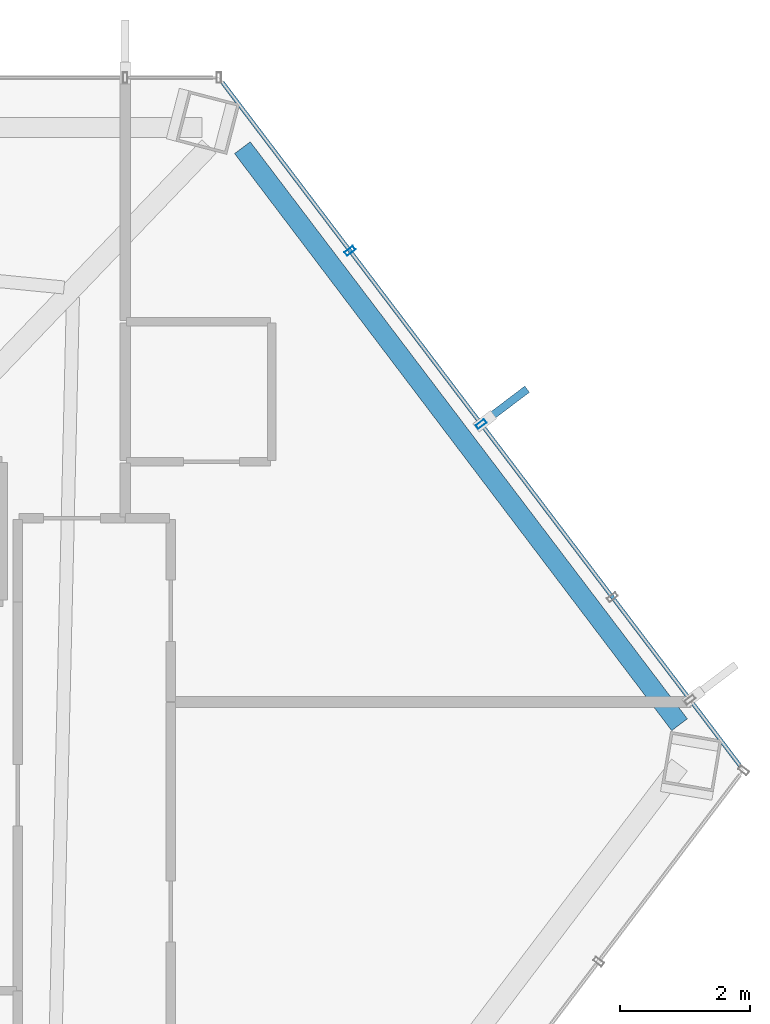
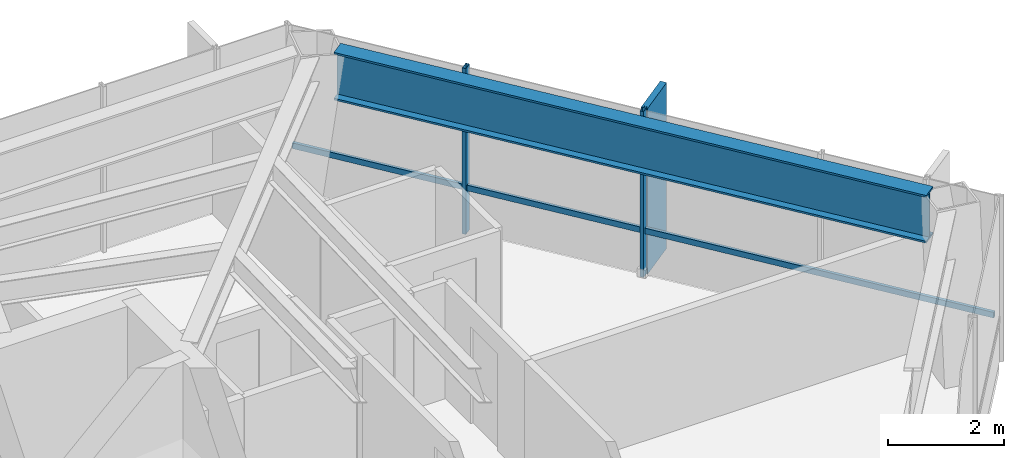
# One storey, part 25 of 30: 4 members, 1 beam, 1 element without a shape of its own.
"""IFC4 building model written with IfcOpenShell, lengths in metres."""

from ifc_helpers import new_model, si_unit, direction, frame, origin, origin_2d, place, context, subcontext, project, spatial, rectangle, hollow_rectangle, i_section, extrude, material, layer, layer_set, material_profile, profile_set, type_object, element, aggregate, save


model = new_model("IFC4")

# Units and contexts
model_context = context("Model", 3, precision=1e-05, world=origin(), true_north=direction((0.0, 1.0)))
body_context = subcontext(model_context, "Body", "Model", "MODEL_VIEW")
ifc_project = project(units=[si_unit("LENGTHUNIT", "METRE"), si_unit("AREAUNIT", "SQUARE_METRE"), si_unit("VOLUMEUNIT", "CUBIC_METRE"), si_unit("PLANEANGLEUNIT", "RADIAN"), si_unit("MASSUNIT", "GRAM", prefix="KILO")], contexts=[model_context])

# Site, building, storey
site_placement = place(None, origin())
site = spatial("IfcSite", under=ifc_project, at=site_placement, CompositionType="ELEMENT")
building_placement = place(site_placement, origin())
building = spatial("IfcBuilding", under=site, at=building_placement, Name="Zarrinselat Tower", CompositionType="ELEMENT")
storey_placement = place(building_placement, frame((0.0, 0.0, 130.89990234375)))
storey = spatial("IfcBuildingStorey", under=building, at=storey_placement, Name="L31", CompositionType="ELEMENT", Elevation=130.89990234375)

# Beam
ifc_material_1 = material(Name="Steel S460M", Category="steel")
ifc_material_profile_1 = material_profile(ifc_material_1, i_section(OverallWidth=0.302001953125, OverallDepth=1.008056640625, WebThickness=0.02099609375, FlangeThickness=0.0400390625, at=origin_2d()), Name="HEM 1000")
ifc_profile_set_1 = profile_set([ifc_material_profile_1], Name="Steel S460M")
beam_type = type_object("IfcBeamType", Name="BM-HEM1000", PredefinedType="BEAM", material=ifc_profile_set_1)
beam_placement = place(storey_placement, frame((55.099365234375, 48.190673828125, 2.99609375), z_axis=(0.603858110813, -0.797091827838, 0.0), x_axis=(0.797091827838, 0.603858110813, 0.0)))
element("IfcBeam", 1, at=beam_placement, inside=storey, type_object=beam_type, Name="L31 Perimeter Spandrel Girder SP15", PredefinedType="BEAM", context=body_context, shape_type="SweptSolid", body=[
    extrude(i_section(OverallWidth=0.302001953125, OverallDepth=1.008056640625, WebThickness=0.02099609375, FlangeThickness=0.0400390625, at=origin_2d()), origin(), (0.0, 0.0, 1.0), 11.1171875),
])

# Curtain wall, members
ifc_material_2 = material(Name="Extruded Aluminium Alloy EN AW-6063 T6", Category="aluminium")
ifc_layer = layer(ifc_material_2, 0.175048828125)
ifc_layer_set = layer_set([ifc_layer], Name="Extruded Aluminium Alloy EN AW-6063 T6")
curtain_wall_type = type_object("IfcCurtainWallType", Name="CWS-HTL", PredefinedType="NOTDEFINED", material=ifc_layer_set)
curtain_wall_placement = place(storey_placement, origin())
curtain_wall = element("IfcCurtainWall", 2, at=curtain_wall_placement, inside=storey, type_object=curtain_wall_type, Name="L31 Unitised Curtain Wall CW-L31-E06", PredefinedType="NOTDEFINED")
ifc_material_3 = material(Name="Extruded Aluminium Alloy EN AW-6063 T6", Category="aluminium")
ifc_material_profile_2 = material_profile(ifc_material_3, hollow_rectangle(XDim=0.070068359375, YDim=0.159912109375, WallThickness=0.00390625, at=origin_2d()), Name="RHS 160x70x4")
ifc_profile_set_2 = profile_set([ifc_material_profile_2], Name="Extruded Aluminium Alloy EN AW-6063 T6")
member_type_1 = type_object("IfcMemberType", Name="MEM-CW-MUL2", PredefinedType="MULLION", material=ifc_profile_set_2)
member_1_placement = place(storey_placement, frame((58.766845703125, 43.947998046875, 0.0), z_axis=(0.0, 0.0, 1.0), x_axis=(-0.603858409354, 0.79709160167, 0.0)))
member_1 = element("IfcMember", 3, at=member_1_placement, type_object=member_type_1, Name="CW-L31-E06 Mullion 3", PredefinedType="MULLION", context=body_context, shape_type="SweptSolid", body=[
    extrude(hollow_rectangle(XDim=0.070068359375, YDim=0.159912109375, WallThickness=0.00390625, at=origin_2d()), origin(), (0.0, 0.0, 1.0), 3.5),
])
member_2_placement = place(storey_placement, frame((56.752197265625, 46.607421875, 0.0), z_axis=(0.0, 0.0, 1.0), x_axis=(-0.603858409354, 0.79709160167, 0.0)))
member_2 = element("IfcMember", 4, at=member_2_placement, type_object=member_type_1, Name="CW-L31-E06 Mullion 4", PredefinedType="MULLION", context=body_context, shape_type="SweptSolid", body=[
    extrude(hollow_rectangle(XDim=0.070068359375, YDim=0.159912109375, WallThickness=0.00390625, at=origin_2d()), origin(), (0.0, 0.0, 1.0), 3.5),
])
ifc_material_4 = material(Name="Extruded Aluminium Alloy EN AW-6063 T6", Category="aluminium")
ifc_material_profile_3 = material_profile(ifc_material_4, hollow_rectangle(XDim=0.06005859375, YDim=0.1201171875, WallThickness=0.00390625, at=origin_2d()), Name="RHS 120x60x4")
ifc_profile_set_3 = profile_set([ifc_material_profile_3], Name="Extruded Aluminium Alloy EN AW-6063 T6")
member_type_2 = type_object("IfcMemberType", Name="MEM-CW-TRN2", PredefinedType="USERDEFINED", material=ifc_profile_set_3)
member_3_placement = place(storey_placement, frame((62.74169921875, 38.701171875, 0.9501953125), z_axis=(-0.603847333729, 0.797099992189, 0.0), x_axis=(-0.797099992189, -0.603847333729, 0.0)))
member_3 = element("IfcMember", 5, at=member_3_placement, type_object=member_type_2, Name="CW-L31-E06 Transom 1", ObjectType="TRANSOM", PredefinedType="USERDEFINED", context=body_context, shape_type="SweptSolid", body=[
    extrude(hollow_rectangle(XDim=0.06005859375, YDim=0.1201171875, WallThickness=0.00390625, at=origin_2d()), origin(), (0.0, 0.0, 1.0), 13.1650390625),
])
ifc_material_5 = material(Name="Honed Cream Travertine Stone", Category="masonry")
ifc_material_profile_4 = material_profile(ifc_material_5, rectangle(XDim=0.1201171875, YDim=0.85009765625, at=origin_2d()), Name="FIN 850x120")
ifc_profile_set_4 = profile_set([ifc_material_profile_4], Name="Honed Cream Travertine Stone")
member_type_3 = type_object("IfcMemberType", Name="MEM-STONE-FIN", PredefinedType="USERDEFINED", material=ifc_profile_set_4)
member_4_placement = place(storey_placement, frame((59.133544921875, 44.225830078125, 0.0), z_axis=(0.0, 0.0, 1.0), x_axis=(0.603858409354, -0.79709160167, 0.0)))
member_4 = element("IfcMember", 6, at=member_4_placement, type_object=member_type_3, Name="L31 Stone Shading Fin CW-L31-E06-03", ObjectType="FIN", PredefinedType="USERDEFINED", context=body_context, shape_type="SweptSolid", body=[
    extrude(rectangle(XDim=0.1201171875, YDim=0.85009765625, at=origin_2d()), origin(), (0.0, 0.0, 1.0), 3.5),
])
aggregate(curtain_wall, [member_1, member_4, member_2, member_3])

save(model, "model.ifc")
